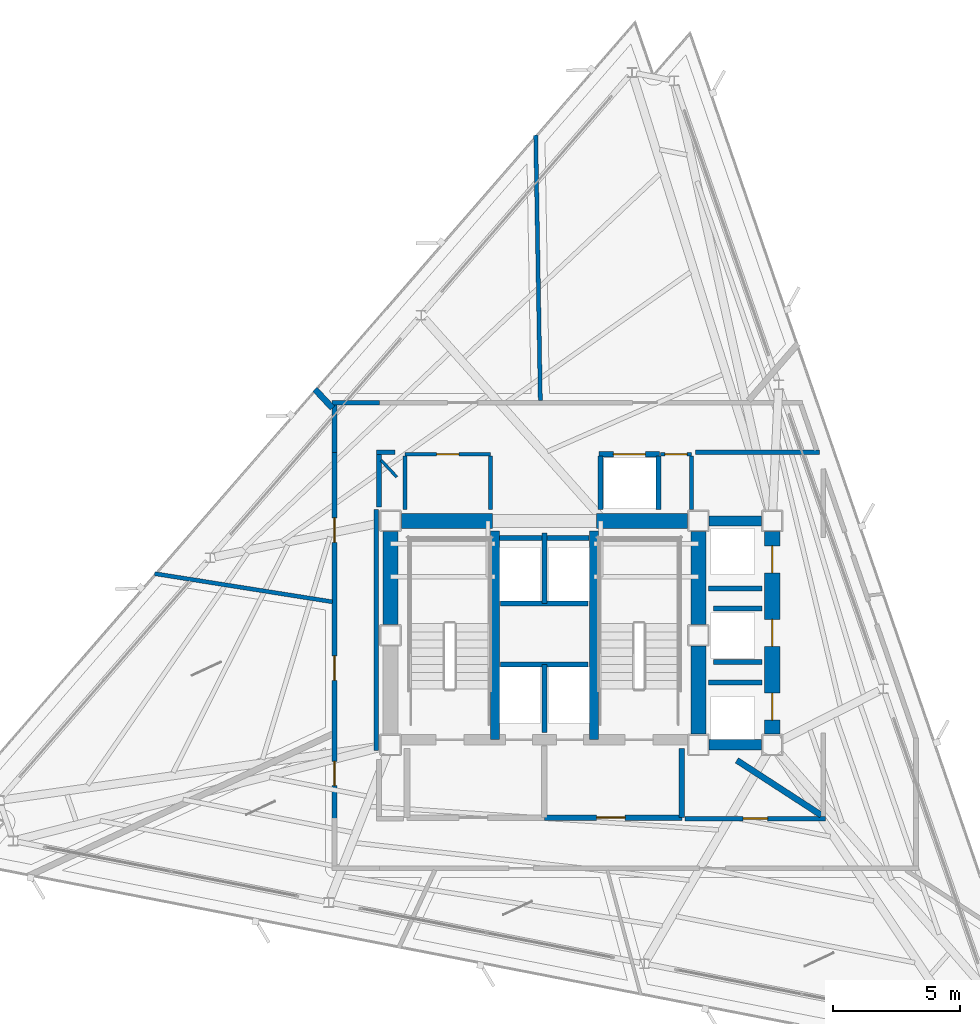
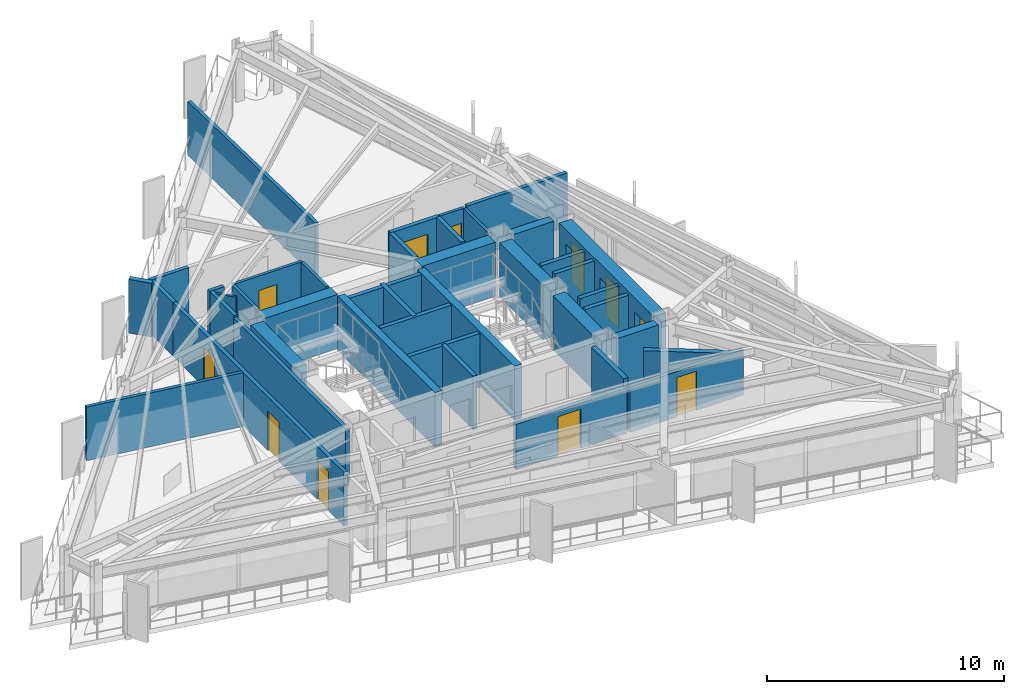
# One storey, part 9 of 13: 42 walls, 11 doors, 11 openings.
"""IFC4 building model written with IfcOpenShell, lengths in metres."""

from ifc_helpers import new_model, si_unit, direction, frame, frame_2d, origin, place, context, subcontext, project, spatial, rectangle, extrude, material, layer, layer_set, type_object, element, fill, save


model = new_model("IFC4")

# Units and contexts
model_context = context("Model", 3, precision=1e-05, world=origin(), true_north=direction((0.0, 1.0)))
body_context = subcontext(model_context, "Body", "Model", "MODEL_VIEW")
ifc_project = project(units=[si_unit("LENGTHUNIT", "METRE"), si_unit("AREAUNIT", "SQUARE_METRE"), si_unit("VOLUMEUNIT", "CUBIC_METRE"), si_unit("PLANEANGLEUNIT", "RADIAN"), si_unit("MASSUNIT", "GRAM", prefix="KILO")], contexts=[model_context])

# Site, building, storey
site_placement = place(None, origin())
site = spatial("IfcSite", under=ifc_project, at=site_placement, CompositionType="ELEMENT")
building_placement = place(site_placement, origin())
building = spatial("IfcBuilding", under=site, at=building_placement, Name="Rocaltana Carrier Exchange", CompositionType="ELEMENT")
storey_placement = place(building_placement, frame((0.0, 0.0, 159.360107421875)))
storey = spatial("IfcBuildingStorey", under=building, at=storey_placement, Name="L50", CompositionType="ELEMENT", Elevation=159.360107421875)

# Walls
ifc_material_1 = material(Name="Double Acoustic Gypsum Partition", Category="gypsum")
ifc_layer_1 = layer(ifc_material_1, 0.159912109375)
ifc_layer_set_1 = layer_set([ifc_layer_1], Name="Double Acoustic Gypsum Partition")
wall_type_1 = type_object("IfcWallType", Name="Acoustic Studio Partition 160 EI60", PredefinedType="PARTITIONING", material=ifc_layer_set_1)
wall_1_placement = place(storey_placement, frame((-0.1611328125, 9.22998046875, 0.0), z_axis=(0.0, 0.0, 1.0), x_axis=(-0.017444651843, 0.999847830483, 0.0)))
element("IfcWall", 1, at=wall_1_placement, inside=storey, type_object=wall_type_1, Name="L50 Suite Divider Wall D8", PredefinedType="PARTITIONING", context=body_context, shape_type="SweptSolid", body=[
    extrude(rectangle(XDim=10.42626953125, YDim=0.159912109375, at=frame_2d((5.213134765625, 0.0))), origin(), (0.0, 0.0, 1.0), 2.762939453125),
])
wall_2_placement = place(storey_placement, frame((-8.330078125, 1.3193359375, 0.0), z_axis=(0.0, 0.0, 1.0), x_axis=(-0.987685078896, 0.156455057208, 0.0)))
element("IfcWall", 2, at=wall_2_placement, inside=storey, type_object=wall_type_1, Name="L50 Suite Divider Wall D11", PredefinedType="PARTITIONING", context=body_context, shape_type="SweptSolid", body=[
    extrude(rectangle(XDim=7.07666015625, YDim=0.159912109375, at=frame_2d((3.538330078125, 0.0))), origin(), (0.0, 0.0, 1.0), 2.762939453125),
])
ifc_material_2 = material(Name="Concrete C50/60", Category="concrete")
ifc_layer_2 = layer(ifc_material_2, 0.35009765625)
ifc_layer_set_2 = layer_set([ifc_layer_2], Name="Concrete C50/60")
wall_type_2 = type_object("IfcWallType", Name="Core Internal Shear Wall 350", PredefinedType="SHEAR", material=ifc_layer_set_2)
for number, where, z_axis, x_axis, name in (
    (3, (-1.93994140625, -4.10009765625, 0.0), (0.0, 0.0, 1.0), (0.0, 1.0, 0.0), "L50 Core Shear Wall CW-STW"),
    (4, (1.93994140625, -4.10009765625, 0.0), (0.0, 0.0, 1.0), (0.0, 1.0, 0.0), "L50 Core Shear Wall CW-STE"),
):
    element("IfcWall", number, at=place(storey_placement, frame(where, z_axis=z_axis, x_axis=x_axis)), inside=storey, type_object=wall_type_2, Name=name, PredefinedType="SHEAR", context=body_context, shape_type="SweptSolid", body=[
        extrude(rectangle(XDim=8.2001953125, YDim=0.35009765625, at=frame_2d((4.10009765625, 0.0))), origin(), (0.0, 0.0, 1.0), 2.787841796875),
    ])
ifc_material_3 = material(Name="Concrete C50/60", Category="concrete")
ifc_layer_3 = layer(ifc_material_3, 0.39990234375)
ifc_layer_set_3 = layer_set([ifc_layer_3], Name="Concrete C50/60")
wall_type_3 = type_object("IfcWallType", Name="Core Internal Shear Wall 400", PredefinedType="SHEAR", material=ifc_layer_set_3)
for number, where, z_axis, x_axis, name in (
    (5, (6.47509765625, 4.5, 0.0), (0.0, 0.0, 1.0), (1.0, 0.0, 0.0), "L50 Core Shear Wall CW-EWN"),
    (6, (6.47509765625, -4.300048828125, 0.0), (0.0, 0.0, 1.0), (1.0, 0.0, 0.0), "L50 Core Shear Wall CW-EWS"),
):
    element("IfcWall", number, at=place(storey_placement, frame(where, z_axis=z_axis, x_axis=x_axis)), inside=storey, type_object=wall_type_3, Name=name, PredefinedType="SHEAR", context=body_context, shape_type="SweptSolid", body=[
        extrude(rectangle(XDim=2.0498046875, YDim=0.39990234375, at=frame_2d((1.02490234375, 0.0))), origin(), (0.0, 0.0, 1.0), 2.787841796875),
    ])
ifc_material_4 = material(Name="Concrete C50/60", Category="concrete")
ifc_layer_4 = layer(ifc_material_4, 0.60009765625)
ifc_layer_set_4 = layer_set([ifc_layer_4], Name="Concrete C50/60")
wall_type_4 = type_object("IfcWallType", Name="Core Shear Wall 600", PredefinedType="SHEAR", material=ifc_layer_set_4)
for number, where, z_axis, x_axis, name in (
    (7, (-6.050048828125, 0.425048828125, 0.0), (0.0, 0.0, 1.0), (0.0, 1.0, 0.0), "L50 Core Shear Wall CW-WN"),
    (8, (6.050048828125, 0.425048828125, 0.0), (0.0, 0.0, 1.0), (0.0, 1.0, 0.0), "L50 Core Shear Wall CW-EN"),
):
    element("IfcWall", number, at=place(storey_placement, frame(where, z_axis=z_axis, x_axis=x_axis)), inside=storey, type_object=wall_type_4, Name=name, PredefinedType="SHEAR", context=body_context, shape_type="SweptSolid", body=[
        extrude(rectangle(XDim=3.64990234375, YDim=0.60009765625, at=frame_2d((1.824951171875, 0.0))), origin(), (0.0, 0.0, 1.0), 2.787841796875),
    ])
wall_3_placement = place(storey_placement, frame((6.050048828125, -3.875, 0.0), z_axis=(0.0, 0.0, 1.0), x_axis=(0.0, 1.0, 0.0)))
element("IfcWall", 9, at=wall_3_placement, inside=storey, type_object=wall_type_4, Name="L50 Core Shear Wall CW-ES", PredefinedType="SHEAR", context=body_context, shape_type="SweptSolid", body=[
    extrude(rectangle(XDim=3.449951171875, YDim=0.60009765625, at=frame_2d((1.72509765625, 0.0))), origin(), (0.0, 0.0, 1.0), 2.787841796875),
])
for number, where, z_axis, x_axis, name in (
    (10, (-5.625, 4.5, 0.0), (0.0, 0.0, 1.0), (1.0, 0.0, 0.0), "L50 Core Shear Wall CW-N1"),
    (11, (2.050048828125, 4.5, 0.0), (0.0, 0.0, 1.0), (1.0, 0.0, 0.0), "L50 Core Shear Wall CW-N2"),
):
    element("IfcWall", number, at=place(storey_placement, frame(where, z_axis=z_axis, x_axis=x_axis)), inside=storey, type_object=wall_type_4, Name=name, PredefinedType="SHEAR", context=body_context, shape_type="SweptSolid", body=[
        extrude(rectangle(XDim=3.574951171875, YDim=0.60009765625, at=frame_2d((1.78759765625, 0.0))), origin(), (0.0, 0.0, 1.0), 2.787841796875),
    ])

# Wall, openings, doors
wall_4_placement = place(storey_placement, frame((8.949951171875, -3.875, 0.0), z_axis=(0.0, 0.0, 1.0), x_axis=(0.0, 1.0, 0.0)))
wall_4 = element("IfcWall", 12, at=wall_4_placement, inside=storey, type_object=wall_type_4, Name="L50 Core Shear Wall CW-EW", PredefinedType="SHEAR", context=body_context, shape_type="SweptSolid", body=[
    extrude(rectangle(XDim=7.949951171875, YDim=0.60009765625, at=frame_2d((3.97509765625, 0.0))), origin(), (0.0, 0.0, 1.0), 2.787841796875),
])
opening_1_placement = place(wall_4_placement, frame((0.550048828125, 0.0, 0.0)))
opening_1 = element("IfcOpeningElement", 13, at=opening_1_placement, cuts=wall_4, Name="Opening LD-110", PredefinedType="OPENING", context=body_context, shape_type="SweptSolid", body=[
    extrude(rectangle(XDim=1.06005859375, YDim=2.0400390625, at=frame_2d((0.530029296875, 1.02001953125))), frame((0.0, 0.31005859375, 0.0), z_axis=(0.0, -1.0, 0.0), x_axis=(1.0, 0.0, 0.0)), (0.0, 0.0, 1.0), 0.6201171875),
])
opening_2_placement = place(wall_4_placement, frame((3.445068359375, 0.0, 0.0)))
opening_2 = element("IfcOpeningElement", 14, at=opening_2_placement, cuts=wall_4, Name="Opening LD-110", PredefinedType="OPENING", context=body_context, shape_type="SweptSolid", body=[
    extrude(rectangle(XDim=1.06005859375, YDim=2.0400390625, at=frame_2d((0.530029296875, 1.02001953125))), frame((0.0, 0.31005859375, 0.0), z_axis=(0.0, -1.0, 0.0), x_axis=(1.0, 0.0, 0.0)), (0.0, 0.0, 1.0), 0.6201171875),
])
opening_3_placement = place(wall_4_placement, frame((6.330078125, 0.0, 0.0)))
opening_3 = element("IfcOpeningElement", 15, at=opening_3_placement, cuts=wall_4, Name="Opening LD-110", PredefinedType="OPENING", context=body_context, shape_type="SweptSolid", body=[
    extrude(rectangle(XDim=1.06005859375, YDim=2.0400390625, at=frame_2d((0.530029296875, 1.02001953125))), frame((0.0, 0.31005859375, 0.0), z_axis=(0.0, -1.0, 0.0), x_axis=(1.0, 0.0, 0.0)), (0.0, 0.0, 1.0), 0.6201171875),
])
ifc_material_5 = material(Name="Brushed Stainless Sliding Door Leaf", Category="steel")
door_type_1 = type_object("IfcDoorType", Name="Lift Landing Sliding Door 1060x2040", OperationType="NOTDEFINED", PredefinedType="DOOR", material=ifc_material_5)
door_1_placement = place(opening_1_placement, origin())
door_1 = element("IfcDoor", 16, at=door_1_placement, inside=storey, type_object=door_type_1, Name="L50 Mid-Rise Lift PL-M1 Landing Door", OperationType="SLIDING_TO_LEFT", OverallHeight=2.0400390625, OverallWidth=1.06005859375, PredefinedType="DOOR", context=body_context, shape_type="SweptSolid", body=[
    extrude(rectangle(XDim=1.06005859375, YDim=2.0400390625, at=frame_2d((0.530029296875, 1.02001953125))), frame((0.0, 0.02490234375, 0.0), z_axis=(0.0, -1.0, 0.0), x_axis=(1.0, 0.0, 0.0)), (0.0, 0.0, 1.0), 0.050048828125),
])
fill(opening_1, door_1)
door_2_placement = place(opening_2_placement, origin())
door_2 = element("IfcDoor", 17, at=door_2_placement, inside=storey, type_object=door_type_1, Name="L50 Mid-Rise Lift PL-M2 Landing Door", OperationType="SLIDING_TO_RIGHT", OverallHeight=2.0400390625, OverallWidth=1.06005859375, PredefinedType="DOOR", context=body_context, shape_type="SweptSolid", body=[
    extrude(rectangle(XDim=1.06005859375, YDim=2.0400390625, at=frame_2d((0.530029296875, 1.02001953125))), frame((0.0, 0.02490234375, 0.0), z_axis=(0.0, -1.0, 0.0), x_axis=(1.0, 0.0, 0.0)), (0.0, 0.0, 1.0), 0.050048828125),
])
fill(opening_2, door_2)
door_3_placement = place(opening_3_placement, origin())
door_3 = element("IfcDoor", 18, at=door_3_placement, inside=storey, type_object=door_type_1, Name="L50 Mid-Rise Lift PL-M3 Landing Door", OperationType="SLIDING_TO_LEFT", OverallHeight=2.0400390625, OverallWidth=1.06005859375, PredefinedType="DOOR", context=body_context, shape_type="SweptSolid", body=[
    extrude(rectangle(XDim=1.06005859375, YDim=2.0400390625, at=frame_2d((0.530029296875, 1.02001953125))), frame((0.0, 0.02490234375, 0.0), z_axis=(0.0, -1.0, 0.0), x_axis=(1.0, 0.0, 0.0)), (0.0, 0.0, 1.0), 0.050048828125),
])
fill(opening_3, door_3)

ifc_material_6 = material(Name="Gypsum & Steel Stud Partition", Category="steel")
ifc_layer_5 = layer(ifc_material_6, 0.179931640625)
ifc_layer_set_5 = layer_set([ifc_layer_5], Name="Gypsum & Steel Stud Partition")
wall_type_5 = type_object("IfcWallType", Name="Corridor Fire Partition 180 EI60", PredefinedType="PARTITIONING", material=ifc_layer_set_5)
wall_5_placement = place(storey_placement, frame((-8.25, -7.219970703125, 0.0), z_axis=(0.0, 0.0, 1.0), x_axis=(0.0, 1.0, 0.0)))
wall_5 = element("IfcWall", 19, at=wall_5_placement, inside=storey, type_object=wall_type_5, Name="L50 Corridor Partition 3", PredefinedType="PARTITIONING", context=body_context, shape_type="SweptSolid", body=[
    extrude(rectangle(XDim=14.43994140625, YDim=0.179931640625, at=frame_2d((7.219970703125, 0.0))), origin(), (0.0, 0.0, 1.0), 2.762939453125),
])
opening_4_placement = place(wall_5_placement, frame((5.456787109375, 0.0, 0.0)))
opening_4 = element("IfcOpeningElement", 20, at=opening_4_placement, cuts=wall_5, Name="Opening D-RM098", PredefinedType="OPENING", context=body_context, shape_type="SweptSolid", body=[
    extrude(rectangle(XDim=0.9599609375, YDim=2.02001953125, at=frame_2d((0.47998046875, 1.010009765625))), frame((0.0, 0.099853515625, 0.0), z_axis=(0.0, -1.0, 0.0), x_axis=(1.0, 0.0, 0.0)), (0.0, 0.0, 1.0), 0.199951171875),
])
opening_5_placement = place(wall_5_placement, frame((1.31396484375, 0.0, 0.0)))
opening_5 = element("IfcOpeningElement", 21, at=opening_5_placement, cuts=wall_5, Name="Opening D-RM098", PredefinedType="OPENING", context=body_context, shape_type="SweptSolid", body=[
    extrude(rectangle(XDim=0.9599609375, YDim=2.02001953125, at=frame_2d((0.47998046875, 1.010009765625))), frame((0.0, 0.099853515625, 0.0), z_axis=(0.0, -1.0, 0.0), x_axis=(1.0, 0.0, 0.0)), (0.0, 0.0, 1.0), 0.199951171875),
])
opening_6_placement = place(wall_5_placement, frame((10.8798828125, 0.0, 0.0)))
opening_6 = element("IfcOpeningElement", 22, at=opening_6_placement, cuts=wall_5, Name="Opening D-RM098", PredefinedType="OPENING", context=body_context, shape_type="SweptSolid", body=[
    extrude(rectangle(XDim=0.9599609375, YDim=2.02001953125, at=frame_2d((0.47998046875, 1.010009765625))), frame((0.0, 0.099853515625, 0.0), z_axis=(0.0, -1.0, 0.0), x_axis=(1.0, 0.0, 0.0)), (0.0, 0.0, 1.0), 0.199951171875),
])
ifc_material_7 = material(Name="Engineered Hardwood Timber", Category="wood")
door_type_2 = type_object("IfcDoorType", Name="Workspace Single Door 960x2020", OperationType="NOTDEFINED", PredefinedType="DOOR", material=ifc_material_7)
door_4_placement = place(opening_4_placement, origin())
door_4 = element("IfcDoor", 23, at=door_4_placement, inside=storey, type_object=door_type_2, Name="L50 Peering Conference Room Entrance Door", OperationType="SINGLE_SWING_RIGHT", OverallHeight=2.02001953125, OverallWidth=0.9599609375, PredefinedType="DOOR", context=body_context, shape_type="SweptSolid", body=[
    extrude(rectangle(XDim=0.9599609375, YDim=2.02001953125, at=frame_2d((0.47998046875, 1.010009765625))), frame((0.0, 0.02490234375, 0.0), z_axis=(0.0, -1.0, 0.0), x_axis=(1.0, 0.0, 0.0)), (0.0, 0.0, 1.0), 0.050048828125),
])
fill(opening_4, door_4)
door_5_placement = place(opening_5_placement, origin())
door_5 = element("IfcDoor", 24, at=door_5_placement, inside=storey, type_object=door_type_2, Name="L50 Incident Briefing Room Entrance Door", OperationType="SINGLE_SWING_LEFT", OverallHeight=2.02001953125, OverallWidth=0.9599609375, PredefinedType="DOOR", context=body_context, shape_type="SweptSolid", body=[
    extrude(rectangle(XDim=0.9599609375, YDim=2.02001953125, at=frame_2d((0.47998046875, 1.010009765625))), frame((0.0, 0.02490234375, 0.0), z_axis=(0.0, -1.0, 0.0), x_axis=(1.0, 0.0, 0.0)), (0.0, 0.0, 1.0), 0.050048828125),
])
fill(opening_5, door_5)
door_6_placement = place(opening_6_placement, origin())
door_6 = element("IfcDoor", 25, at=door_6_placement, inside=storey, type_object=door_type_2, Name="L50 Cloud Architecture Office Entrance Door", OperationType="SINGLE_SWING_LEFT", OverallHeight=2.02001953125, OverallWidth=0.9599609375, PredefinedType="DOOR", context=body_context, shape_type="SweptSolid", body=[
    extrude(rectangle(XDim=0.9599609375, YDim=2.02001953125, at=frame_2d((0.47998046875, 1.010009765625))), frame((0.0, 0.02490234375, 0.0), z_axis=(0.0, -1.0, 0.0), x_axis=(1.0, 0.0, 0.0)), (0.0, 0.0, 1.0), 0.050048828125),
])
fill(opening_6, door_6)

# Walls
wall_6_placement = place(storey_placement, frame((-8.25, 7.179931640625, 0.0), z_axis=(0.0, 0.0, 1.0), x_axis=(0.0, 1.0, 0.0)))
element("IfcWall", 26, at=wall_6_placement, inside=storey, type_object=wall_type_5, Name="L50 Corridor Partition 4", PredefinedType="PARTITIONING", context=body_context, shape_type="SweptSolid", body=[
    extrude(rectangle(XDim=1.880126953125, YDim=0.179931640625, at=frame_2d((0.93994140625, 0.0))), origin(), (0.0, 0.0, 1.0), 2.762939453125),
])
wall_7_placement = place(storey_placement, frame((-8.340087890625, 9.14990234375, 0.0), z_axis=(0.0, 0.0, 1.0), x_axis=(1.0, 0.0, 0.0)))
element("IfcWall", 27, at=wall_7_placement, inside=storey, type_object=wall_type_5, Name="L50 Corridor Partition 5", PredefinedType="PARTITIONING", context=body_context, shape_type="SweptSolid", body=[
    extrude(rectangle(XDim=1.860107421875, YDim=0.179931640625, at=frame_2d((0.93017578125, 0.0))), origin(), (0.0, 0.0, 1.0), 2.762939453125),
])
wall_8_placement = place(storey_placement, frame((10.813720703125, 7.199951171875, 0.0), z_axis=(0.0, 0.0, 1.0), x_axis=(-1.0, 0.0, 0.0)))
element("IfcWall", 28, at=wall_8_placement, inside=storey, type_object=wall_type_5, Name="L50 Corridor Partition 8", PredefinedType="PARTITIONING", context=body_context, shape_type="SweptSolid", body=[
    extrude(rectangle(XDim=4.8837890625, YDim=0.179931640625, at=frame_2d((2.44189453125, 0.0))), origin(), (0.0, 0.0, 1.0), 2.762939453125),
])
wall_9_placement = place(storey_placement, frame((-5.8798828125, 7.199951171875, 0.0), z_axis=(0.0, 0.0, 1.0), x_axis=(-1.0, 0.0, 0.0)))
element("IfcWall", 29, at=wall_9_placement, inside=storey, type_object=wall_type_5, Name="L50 Corridor Partition 9", PredefinedType="PARTITIONING", context=body_context, shape_type="SweptSolid", body=[
    extrude(rectangle(XDim=0.710205078125, YDim=0.179931640625, at=frame_2d((0.35498046875, 0.0))), origin(), (0.0, 0.0, 1.0), 2.762939453125),
])
wall_10_placement = place(storey_placement, frame((-6.5, 7.110107421875, 0.0), z_axis=(0.0, 0.0, 1.0), x_axis=(0.0, -1.0, 0.0)))
element("IfcWall", 30, at=wall_10_placement, inside=storey, type_object=wall_type_5, Name="L50 Corridor Partition 10", PredefinedType="PARTITIONING", context=body_context, shape_type="SweptSolid", body=[
    extrude(rectangle(XDim=2.058349609375, YDim=0.179931640625, at=frame_2d((1.029296875, 0.0))), origin(), (0.0, 0.0, 1.0), 2.762939453125),
])
wall_11_placement = place(storey_placement, frame((-6.610107421875, 4.93994140625, 0.0), z_axis=(0.0, 0.0, 1.0), x_axis=(0.0, -1.0, 0.0)))
element("IfcWall", 31, at=wall_11_placement, inside=storey, type_object=wall_type_5, Name="L50 Corridor Partition 11", PredefinedType="PARTITIONING", context=body_context, shape_type="SweptSolid", body=[
    extrude(rectangle(XDim=9.4599609375, YDim=0.179931640625, at=frame_2d((4.72998046875, 0.0))), origin(), (0.0, 0.0, 1.0), 2.762939453125),
])

# Wall, opening, door
wall_12_placement = place(storey_placement, frame((5.530029296875, -7.199951171875, 0.0), z_axis=(0.0, 0.0, 1.0), x_axis=(1.0, 0.0, 0.0)))
wall_12 = element("IfcWall", 32, at=wall_12_placement, inside=storey, type_object=wall_type_5, Name="L50 Corridor Partition 14", PredefinedType="PARTITIONING", context=body_context, shape_type="SweptSolid", body=[
    extrude(rectangle(XDim=5.52001953125, YDim=0.179931640625, at=frame_2d((2.760009765625, 0.0))), origin(), (0.0, 0.0, 1.0), 2.329833984375),
])
opening_7_placement = place(wall_12_placement, frame((2.280029296875, 0.0, 0.0)))
opening_7 = element("IfcOpeningElement", 33, at=opening_7_placement, cuts=wall_12, Name="Opening D-RM098", PredefinedType="OPENING", context=body_context, shape_type="SweptSolid", body=[
    extrude(rectangle(XDim=0.9599609375, YDim=2.02001953125, at=frame_2d((0.47998046875, 1.010009765625))), frame((0.0, 0.099853515625, 0.0), z_axis=(0.0, -1.0, 0.0), x_axis=(1.0, 0.0, 0.0)), (0.0, 0.0, 1.0), 0.199951171875),
])
door_7_placement = place(opening_7_placement, origin())
door_7 = element("IfcDoor", 34, at=door_7_placement, inside=storey, type_object=door_type_2, Name="L50 Executive Peering Boardroom Entrance Door", OperationType="SINGLE_SWING_RIGHT", OverallHeight=2.02001953125, OverallWidth=0.9599609375, PredefinedType="DOOR", context=body_context, shape_type="SweptSolid", body=[
    extrude(rectangle(XDim=0.9599609375, YDim=2.02001953125, at=frame_2d((0.47998046875, 1.010009765625))), frame((0.0, 0.02490234375, 0.0), z_axis=(0.0, -1.0, 0.0), x_axis=(1.0, 0.0, 0.0)), (0.0, 0.0, 1.0), 0.050048828125),
])
fill(opening_7, door_7)

# Walls
ifc_material_8 = material(Name="Aluminium 6063-T6 & Acoustic Glass", Category="aluminium")
ifc_layer_6 = layer(ifc_material_8, 0.114990234375)
ifc_layer_set_6 = layer_set([ifc_layer_6], Name="Aluminium 6063-T6 & Acoustic Glass")
wall_type_6 = type_object("IfcWallType", Name="Demountable Glazed Lab Partition 115", PredefinedType="MOVABLE", material=ifc_layer_set_6)
wall_13_placement = place(storey_placement, frame((-5.800048828125, 6.2197265625, 0.0), z_axis=(0.0, 0.0, 1.0), x_axis=(-0.681964083565, 0.731385663469, 0.0)))
element("IfcWall", 35, at=wall_13_placement, inside=storey, type_object=wall_type_6, Name="L50 Suite Divider Wall D9", PredefinedType="MOVABLE", context=body_context, shape_type="SweptSolid", body=[
    extrude(rectangle(XDim=0.908935546875, YDim=0.114990234375, at=frame_2d((0.45458984375, 0.0))), origin(), (0.0, 0.0, 1.0), 2.762939453125),
])
ifc_material_9 = material(Name="Autoclaved Aerated Concrete C30/37", Category="concrete")
ifc_layer_7 = layer(ifc_material_9, 0.219970703125)
ifc_layer_set_7 = layer_set([ifc_layer_7], Name="Autoclaved Aerated Concrete C30/37")
wall_type_7 = type_object("IfcWallType", Name="Firefighting Lobby Wall 220 EI120", PredefinedType="PARTITIONING", material=ifc_layer_set_7)
wall_14_placement = place(storey_placement, frame((5.39990234375, -7.159912109375, 0.0), z_axis=(0.0, 0.0, 1.0), x_axis=(0.0, 1.0, 0.0)))
element("IfcWall", 36, at=wall_14_placement, inside=storey, type_object=wall_type_7, Name="L50 FFL Lobby 2 East Wall", PredefinedType="PARTITIONING", context=body_context, shape_type="SweptSolid", body=[
    extrude(rectangle(XDim=2.7099609375, YDim=0.219970703125, at=frame_2d((1.35498046875, 0.0))), origin(), (0.0, 0.0, 1.0), 2.762939453125),
])

# Wall, opening, door
wall_15_placement = place(storey_placement, frame((0.0, -7.159912109375, 0.0), z_axis=(0.0, 0.0, 1.0), x_axis=(1.0, 0.0, 0.0)))
wall_15 = element("IfcWall", 37, at=wall_15_placement, inside=storey, type_object=wall_type_7, Name="L50 FFL Lobby 2 South Wall", PredefinedType="PARTITIONING", context=body_context, shape_type="SweptSolid", body=[
    extrude(rectangle(XDim=5.39990234375, YDim=0.219970703125, at=frame_2d((2.699951171875, 0.0))), origin(), (0.0, 0.0, 1.0), 2.329833984375),
])
opening_8_placement = place(wall_15_placement, frame((2.050048828125, 0.0, 0.0)))
opening_8 = element("IfcOpeningElement", 38, at=opening_8_placement, cuts=wall_15, Name="Opening D-FF115", PredefinedType="OPENING", context=body_context, shape_type="SweptSolid", body=[
    extrude(rectangle(XDim=1.1201171875, YDim=2.02001953125, at=frame_2d((0.56005859375, 1.010009765625))), frame((0.0, 0.119873046875, 0.0), z_axis=(0.0, -1.0, 0.0), x_axis=(1.0, 0.0, 0.0)), (0.0, 0.0, 1.0), 0.239990234375),
])
ifc_material_10 = material(Name="Hollow Metal Fire Door Assembly", Category="steel")
door_type_3 = type_object("IfcDoorType", Name="Firefighting Lobby Door 1120x2020 FD60S", OperationType="NOTDEFINED", PredefinedType="DOOR", material=ifc_material_10)
door_8_placement = place(opening_8_placement, origin())
door_8 = element("IfcDoor", 39, at=door_8_placement, inside=storey, type_object=door_type_3, Name="L50 Firefighting Lift Lobby 2 Door", OperationType="SINGLE_SWING_LEFT", OverallHeight=2.02001953125, OverallWidth=1.1201171875, PredefinedType="DOOR", context=body_context, shape_type="SweptSolid", body=[
    extrude(rectangle(XDim=1.1201171875, YDim=2.02001953125, at=frame_2d((0.56005859375, 1.010009765625))), frame((0.0, 0.02490234375, 0.0), z_axis=(0.0, -1.0, 0.0), x_axis=(1.0, 0.0, 0.0)), (0.0, 0.0, 1.0), 0.050048828125),
])
fill(opening_8, door_8)

# Walls
ifc_material_11 = material(Name="Acoustic Calcium Silicate Partition", Category="gypsum")
ifc_layer_8 = layer(ifc_material_11, 0.239990234375)
ifc_layer_set_8 = layer_set([ifc_layer_8], Name="Acoustic Calcium Silicate Partition")
wall_type_8 = type_object("IfcWallType", Name="Heavy Lab Partition 240 EI90", PredefinedType="PARTITIONING", material=ifc_layer_set_8)
wall_16_placement = place(storey_placement, frame((7.560791015625, -4.909912109375, 0.0), z_axis=(0.0, 0.0, 1.0), x_axis=(0.838633829817, -0.544695602595, 0.0)))
element("IfcWall", 40, at=wall_16_placement, inside=storey, type_object=wall_type_8, Name="L50 Suite Divider Wall D4", PredefinedType="PARTITIONING", context=body_context, shape_type="SweptSolid", body=[
    extrude(rectangle(XDim=3.957763671875, YDim=0.239990234375, at=frame_2d((1.97900390625, 0.0))), origin(), (0.0, 0.0, 1.0), 2.1318359375),
])
wall_17_placement = place(storey_placement, frame((-8.330078125, 8.932861328125, 0.0), z_axis=(0.0, 0.0, 1.0), x_axis=(-0.68206891796, 0.731287898952, 0.0)))
element("IfcWall", 41, at=wall_17_placement, inside=storey, type_object=wall_type_8, Name="L50 Suite Divider Wall D10", PredefinedType="PARTITIONING", context=body_context, shape_type="SweptSolid", body=[
    extrude(rectangle(XDim=1.011962890625, YDim=0.239990234375, at=frame_2d((0.505859375, 0.0))), origin(), (0.0, 0.0, 1.0), 2.762939453125),
])
ifc_material_12 = material(Name="Reinforced Concrete Block C35/45", Category="concrete")
ifc_layer_9 = layer(ifc_material_12, 0.199951171875)
ifc_layer_set_9 = layer_set([ifc_layer_9], Name="Reinforced Concrete Block C35/45")
wall_type_9 = type_object("IfcWallType", Name="Lift Hoistway Enclosure Wall 200 EI120", PredefinedType="PARTITIONING", material=ifc_layer_set_9)
wall_18_placement = place(storey_placement, frame((0.0, -3.820068359375, 0.0), z_axis=(0.0, 0.0, 1.0), x_axis=(0.0, 1.0, 0.0)))
element("IfcWall", 42, at=wall_18_placement, inside=storey, type_object=wall_type_9, Name="L50 FFL Shaft Divider", PredefinedType="PARTITIONING", context=body_context, shape_type="SweptSolid", body=[
    extrude(rectangle(XDim=2.670166015625, YDim=0.199951171875, at=frame_2d((1.3349609375, 0.0))), origin(), (0.0, 0.0, 1.0), 2.762939453125),
])
wall_19_placement = place(storey_placement, frame((-1.719970703125, -1.14990234375, 0.0), z_axis=(0.0, 0.0, 1.0), x_axis=(1.0, 0.0, 0.0)))
element("IfcWall", 43, at=wall_19_placement, inside=storey, type_object=wall_type_9, Name="L50 FFL Shaft Back Wall", PredefinedType="PARTITIONING", context=body_context, shape_type="SweptSolid", body=[
    extrude(rectangle(XDim=3.43994140625, YDim=0.199951171875, at=frame_2d((1.719970703125, 0.0))), origin(), (0.0, 0.0, 1.0), 2.762939453125),
])
wall_20_placement = place(storey_placement, frame((0.0, 1.25, 0.0), z_axis=(0.0, 0.0, 1.0), x_axis=(0.0, 1.0, 0.0)))
element("IfcWall", 44, at=wall_20_placement, inside=storey, type_object=wall_type_9, Name="L50 High-Rise Shaft Divider", PredefinedType="PARTITIONING", context=body_context, shape_type="SweptSolid", body=[
    extrude(rectangle(XDim=2.77001953125, YDim=0.199951171875, at=frame_2d((1.385009765625, 0.0))), origin(), (0.0, 0.0, 1.0), 2.762939453125),
])
wall_21_placement = place(storey_placement, frame((-1.719970703125, 1.25, 0.0), z_axis=(0.0, 0.0, 1.0), x_axis=(1.0, 0.0, 0.0)))
element("IfcWall", 45, at=wall_21_placement, inside=storey, type_object=wall_type_9, Name="L50 High-Rise Shaft Back Wall", PredefinedType="PARTITIONING", context=body_context, shape_type="SweptSolid", body=[
    extrude(rectangle(XDim=3.43994140625, YDim=0.199951171875, at=frame_2d((1.719970703125, 0.0))), origin(), (0.0, 0.0, 1.0), 2.762939453125),
])
wall_22_placement = place(storey_placement, frame((-1.760009765625, 3.820068359375, 0.0), z_axis=(0.0, 0.0, 1.0), x_axis=(1.0, 0.0, 0.0)))
element("IfcWall", 46, at=wall_22_placement, inside=storey, type_object=wall_type_9, Name="L50 High-Rise Lift Front Wall", PredefinedType="PARTITIONING", context=body_context, shape_type="SweptSolid", body=[
    extrude(rectangle(XDim=3.52001953125, YDim=0.199951171875, at=frame_2d((1.760009765625, 0.0))), origin(), (0.0, 0.0, 1.0), 2.762939453125),
])
for number, where, z_axis, x_axis, name in (
    (47, (2.199951171875, 4.949951171875, 0.0), (0.0, 0.0, 1.0), (0.0, 1.0, 0.0), "L50 Goods Lift West Wall"),
    (48, (4.47998046875, 4.949951171875, 0.0), (0.0, 0.0, 1.0), (0.0, 1.0, 0.0), "L50 Goods Lift East Wall"),
):
    element("IfcWall", number, at=place(storey_placement, frame(where, z_axis=z_axis, x_axis=x_axis)), inside=storey, type_object=wall_type_9, Name=name, PredefinedType="PARTITIONING", context=body_context, shape_type="SweptSolid", body=[
        extrude(rectangle(XDim=2.10009765625, YDim=0.199951171875, at=frame_2d((1.050048828125, 0.0))), origin(), (0.0, 0.0, 1.0), 2.762939453125),
    ])

# Wall, opening, door
wall_23_placement = place(storey_placement, frame((2.14990234375, 7.1201171875, 0.0), z_axis=(0.0, 0.0, 1.0), x_axis=(1.0, 0.0, 0.0)))
wall_23 = element("IfcWall", 49, at=wall_23_placement, inside=storey, type_object=wall_type_9, Name="L50 Goods Lift Front Wall", PredefinedType="PARTITIONING", context=body_context, shape_type="SweptSolid", body=[
    extrude(rectangle(XDim=2.380126953125, YDim=0.199951171875, at=frame_2d((1.18994140625, 0.0))), origin(), (0.0, 0.0, 1.0), 2.762939453125),
])
opening_9_placement = place(wall_23_placement, frame((0.56005859375, 0.0, 0.0)))
opening_9 = element("IfcOpeningElement", 50, at=opening_9_placement, cuts=wall_23, Name="Opening LD-130", PredefinedType="OPENING", context=body_context, shape_type="SweptSolid", body=[
    extrude(rectangle(XDim=1.260009765625, YDim=2.06005859375, at=frame_2d((0.6298828125, 1.030029296875))), frame((0.0, 0.10986328125, 0.0), z_axis=(0.0, -1.0, 0.0), x_axis=(1.0, 0.0, 0.0)), (0.0, 0.0, 1.0), 0.219970703125),
])
ifc_material_13 = material(Name="Brushed Stainless Sliding Door Leaf", Category="steel")
door_type_4 = type_object("IfcDoorType", Name="Goods Lift Landing Sliding Door 1260x2060", OperationType="NOTDEFINED", PredefinedType="DOOR", material=ifc_material_13)
door_9_placement = place(opening_9_placement, origin())
door_9 = element("IfcDoor", 51, at=door_9_placement, inside=storey, type_object=door_type_4, Name="L50 Goods Lift GL-1 Landing Door", OperationType="SLIDING_TO_LEFT", OverallHeight=2.06005859375, OverallWidth=1.260009765625, PredefinedType="DOOR", context=body_context, shape_type="SweptSolid", body=[
    extrude(rectangle(XDim=1.260009765625, YDim=2.06005859375, at=frame_2d((0.6298828125, 1.030029296875))), frame((0.0, 0.02490234375, 0.0), z_axis=(0.0, -1.0, 0.0), x_axis=(1.0, 0.0, 0.0)), (0.0, 0.0, 1.0), 0.050048828125),
])
fill(opening_9, door_9)

# Walls
for number, where, z_axis, x_axis, name in (
    (52, (6.449951171875, -1.85009765625, 0.0), (0.0, 0.0, 1.0), (1.0, 0.0, 0.0), "L50 Mid-Rise Shaft Divider 1"),
    (53, (6.449951171875, 1.85009765625, 0.0), (0.0, 0.0, 1.0), (1.0, 0.0, 0.0), "L50 Mid-Rise Shaft Divider 2"),
):
    element("IfcWall", number, at=place(storey_placement, frame(where, z_axis=z_axis, x_axis=x_axis)), inside=storey, type_object=wall_type_9, Name=name, PredefinedType="PARTITIONING", context=body_context, shape_type="SweptSolid", body=[
        extrude(rectangle(XDim=2.10009765625, YDim=0.199951171875, at=frame_2d((1.050048828125, 0.0))), origin(), (0.0, 0.0, 1.0), 2.762939453125),
    ])
for number, where, z_axis, x_axis, name in (
    (54, (6.639892578125, -1.050048828125, 0.0), (0.0, 0.0, 1.0), (1.0, 0.0, 0.0), "L50 Mid-Rise Center Shaft Wall South"),
    (55, (6.639892578125, 1.050048828125, 0.0), (0.0, 0.0, 1.0), (1.0, 0.0, 0.0), "L50 Mid-Rise Center Shaft Wall North"),
):
    element("IfcWall", number, at=place(storey_placement, frame(where, z_axis=z_axis, x_axis=x_axis)), inside=storey, type_object=wall_type_9, Name=name, PredefinedType="PARTITIONING", context=body_context, shape_type="SweptSolid", body=[
        extrude(rectangle(XDim=1.91015625, YDim=0.199951171875, at=frame_2d((0.955078125, 0.0))), origin(), (0.0, 0.0, 1.0), 2.762939453125),
    ])
ifc_material_14 = material(Name="Moisture-Resistant Masonry C30/37", Category="masonry")
ifc_layer_10 = layer(ifc_material_14, 0.139892578125)
ifc_layer_set_10 = layer_set([ifc_layer_10], Name="Moisture-Resistant Masonry C30/37")
wall_type_10 = type_object("IfcWallType", Name="Wet-Area Sanitary Partition 140", PredefinedType="PARTITIONING", material=ifc_layer_set_10)
for number, where, z_axis, x_axis, name in (
    (56, (-5.47998046875, 4.949951171875, 0.0), (0.0, 0.0, 1.0), (0.0, 1.0, 0.0), "L50 Sanitary West Wall"),
    (57, (-2.1201171875, 4.949951171875, 0.0), (0.0, 0.0, 1.0), (0.0, 1.0, 0.0), "L50 Sanitary East Wall"),
):
    element("IfcWall", number, at=place(storey_placement, frame(where, z_axis=z_axis, x_axis=x_axis)), inside=storey, type_object=wall_type_10, Name=name, PredefinedType="PARTITIONING", context=body_context, shape_type="SweptSolid", body=[
        extrude(rectangle(XDim=2.10009765625, YDim=0.139892578125, at=frame_2d((1.050048828125, 0.0))), origin(), (0.0, 0.0, 1.0), 2.762939453125),
    ])

# Wall, opening, door
wall_24_placement = place(storey_placement, frame((-5.47998046875, 7.1201171875, 0.0), z_axis=(0.0, 0.0, 1.0), x_axis=(1.0, 0.0, 0.0)))
wall_24 = element("IfcWall", 58, at=wall_24_placement, inside=storey, type_object=wall_type_10, Name="L50 Sanitary North Wall", PredefinedType="PARTITIONING", context=body_context, shape_type="SweptSolid", body=[
    extrude(rectangle(XDim=3.35986328125, YDim=0.139892578125, at=frame_2d((1.679931640625, 0.0))), origin(), (0.0, 0.0, 1.0), 2.762939453125),
])
opening_10_placement = place(wall_24_placement, frame((1.239990234375, 0.0, 0.0)))
opening_10 = element("IfcOpeningElement", 59, at=opening_10_placement, cuts=wall_24, Name="Opening D-WC090", PredefinedType="OPENING", context=body_context, shape_type="SweptSolid", body=[
    extrude(rectangle(XDim=0.8798828125, YDim=2.02001953125, at=frame_2d((0.43994140625, 1.010009765625))), frame((0.0, 0.079833984375, 0.0), z_axis=(0.0, -1.0, 0.0), x_axis=(1.0, 0.0, 0.0)), (0.0, 0.0, 1.0), 0.159912109375),
])
ifc_material_15 = material(Name="High-Pressure Laminate Timber", Category="wood")
door_type_5 = type_object("IfcDoorType", Name="Restroom & Accessible WC Door 880x2020", OperationType="NOTDEFINED", PredefinedType="DOOR", material=ifc_material_15)
door_10_placement = place(opening_10_placement, origin())
door_10 = element("IfcDoor", 60, at=door_10_placement, inside=storey, type_object=door_type_5, Name="L50 Accessible Toilet Door", OperationType="SINGLE_SWING_RIGHT", OverallHeight=2.02001953125, OverallWidth=0.8798828125, PredefinedType="DOOR", context=body_context, shape_type="SweptSolid", body=[
    extrude(rectangle(XDim=0.8798828125, YDim=2.02001953125, at=frame_2d((0.43994140625, 1.010009765625))), frame((0.0, 0.02490234375, 0.0), z_axis=(0.0, -1.0, 0.0), x_axis=(1.0, 0.0, 0.0)), (0.0, 0.0, 1.0), 0.050048828125),
])
fill(opening_10, door_10)

# Wall
wall_25_placement = place(storey_placement, frame((5.780029296875, 4.949951171875, 0.0), z_axis=(0.0, 0.0, 1.0), x_axis=(0.0, 1.0, 0.0)))
element("IfcWall", 61, at=wall_25_placement, inside=storey, type_object=wall_type_10, Name="L50 Restroom East Wall", PredefinedType="PARTITIONING", context=body_context, shape_type="SweptSolid", body=[
    extrude(rectangle(XDim=2.10009765625, YDim=0.139892578125, at=frame_2d((1.050048828125, 0.0))), origin(), (0.0, 0.0, 1.0), 2.762939453125),
])

# Wall, opening, door
wall_26_placement = place(storey_placement, frame((4.56005859375, 7.1201171875, 0.0), z_axis=(0.0, 0.0, 1.0), x_axis=(1.0, 0.0, 0.0)))
wall_26 = element("IfcWall", 62, at=wall_26_placement, inside=storey, type_object=wall_type_10, Name="L50 Restroom North Wall", PredefinedType="PARTITIONING", context=body_context, shape_type="SweptSolid", body=[
    extrude(rectangle(XDim=1.219970703125, YDim=0.139892578125, at=frame_2d((0.60986328125, 0.0))), origin(), (0.0, 0.0, 1.0), 2.762939453125),
])
opening_11_placement = place(wall_26_placement, frame((0.169921875, 0.0, 0.0)))
opening_11 = element("IfcOpeningElement", 63, at=opening_11_placement, cuts=wall_26, Name="Opening D-WC090", PredefinedType="OPENING", context=body_context, shape_type="SweptSolid", body=[
    extrude(rectangle(XDim=0.8798828125, YDim=2.02001953125, at=frame_2d((0.43994140625, 1.010009765625))), frame((0.0, 0.079833984375, 0.0), z_axis=(0.0, -1.0, 0.0), x_axis=(1.0, 0.0, 0.0)), (0.0, 0.0, 1.0), 0.159912109375),
])
door_11_placement = place(opening_11_placement, origin())
door_11 = element("IfcDoor", 64, at=door_11_placement, inside=storey, type_object=door_type_5, Name="L50 Staff Restroom Door", OperationType="SINGLE_SWING_LEFT", OverallHeight=2.02001953125, OverallWidth=0.8798828125, PredefinedType="DOOR", context=body_context, shape_type="SweptSolid", body=[
    extrude(rectangle(XDim=0.8798828125, YDim=2.02001953125, at=frame_2d((0.43994140625, 1.010009765625))), frame((0.0, 0.02490234375, 0.0), z_axis=(0.0, -1.0, 0.0), x_axis=(1.0, 0.0, 0.0)), (0.0, 0.0, 1.0), 0.050048828125),
])
fill(opening_11, door_11)

save(model, "model.ifc")
